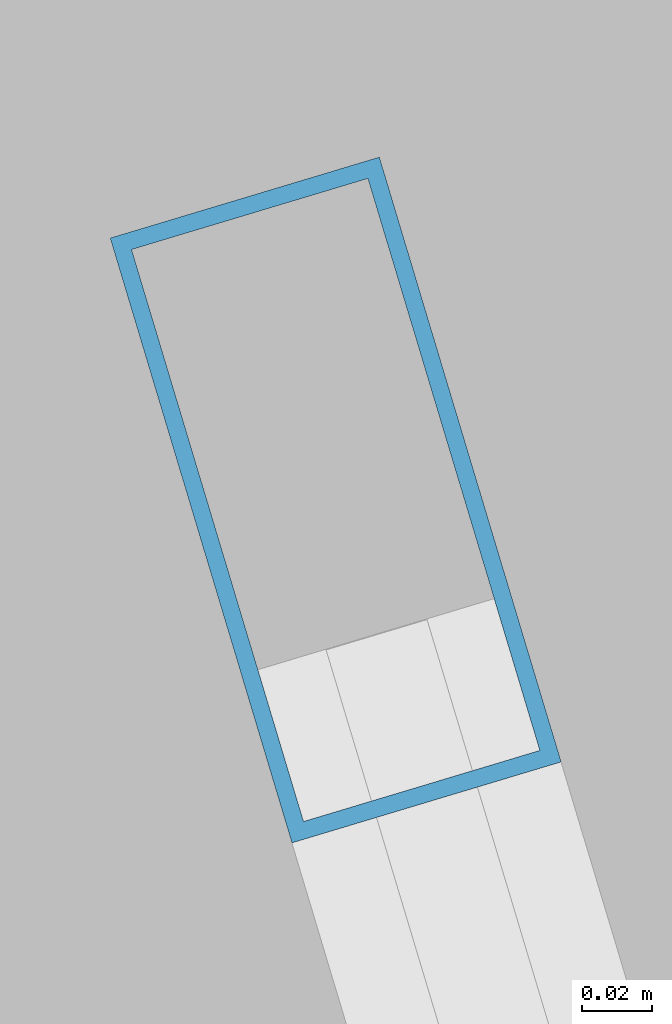
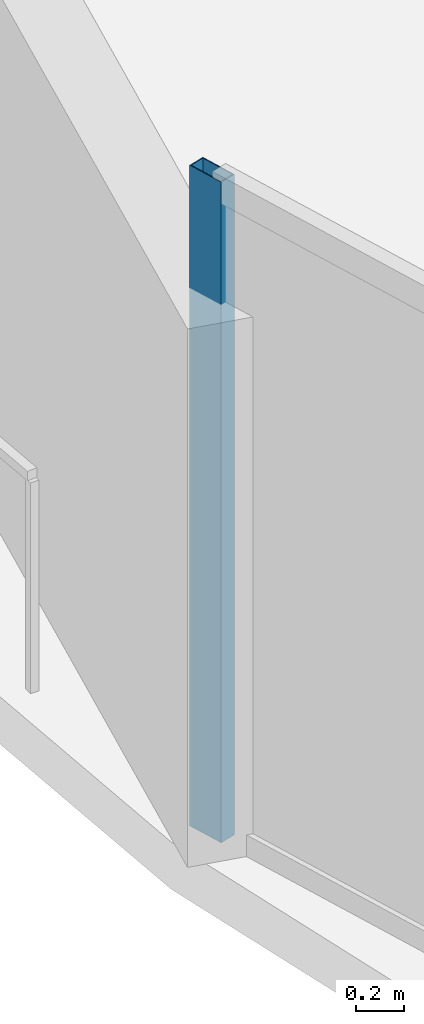
# One storey, part 8 of 31: 1 member, 1 element without a shape of its own.
"""IFC4 building model written with IfcOpenShell, lengths in metres."""

from ifc_helpers import new_model, si_unit, direction, frame, origin, origin_2d, place, context, subcontext, project, spatial, hollow_rectangle, extrude, material, layer, layer_set, material_profile, profile_set, type_object, element, aggregate, save


model = new_model("IFC4")

# Units and contexts
model_context = context("Model", 3, precision=1e-05, world=origin(), true_north=direction((0.0, 1.0)))
body_context = subcontext(model_context, "Body", "Model", "MODEL_VIEW")
ifc_project = project(units=[si_unit("LENGTHUNIT", "METRE"), si_unit("AREAUNIT", "SQUARE_METRE"), si_unit("VOLUMEUNIT", "CUBIC_METRE"), si_unit("PLANEANGLEUNIT", "RADIAN"), si_unit("MASSUNIT", "GRAM", prefix="KILO")], contexts=[model_context])

# Site, building, storey
site_placement = place(None, origin())
site = spatial("IfcSite", under=ifc_project, at=site_placement, CompositionType="ELEMENT")
building_placement = place(site_placement, origin())
building = spatial("IfcBuilding", under=site, at=building_placement, Name="Kazevale Care Tower and Concert Hall", CompositionType="ELEMENT")
storey_placement = place(building_placement, frame((0.0, 0.0, 81.60009765625)))
storey = spatial("IfcBuildingStorey", under=building, at=storey_placement, Name="L21", CompositionType="ELEMENT", Elevation=81.60009765625)

# Curtain wall, member
ifc_material_1 = material(Name="Aluminium 6063-T6 and Low-E Glass", Category="aluminium")
ifc_layer = layer(ifc_material_1, 0.179931640625)
ifc_layer_set = layer_set([ifc_layer], Name="Aluminium 6063-T6 and Low-E Glass")
curtain_wall_type = type_object("IfcCurtainWallType", Name="Waist & Upper Residential Curtain Wall CW-4", PredefinedType="NOTDEFINED", material=ifc_layer_set)
curtain_wall_placement = place(storey_placement, origin())
curtain_wall = element("IfcCurtainWall", 1, at=curtain_wall_placement, inside=storey, type_object=curtain_wall_type, Name="cw:L21:f12", PredefinedType="NOTDEFINED")
ifc_material_2 = material(Name="Aluminium 6063-T6", Category="aluminium")
ifc_material_profile = material_profile(ifc_material_2, hollow_rectangle(XDim=0.080078125, YDim=0.179931640625, WallThickness=0.0048828125, at=origin_2d()), Name="ALU80x180x5")
ifc_profile_set = profile_set([ifc_material_profile], Name="Aluminium 6063-T6")
member_type = type_object("IfcMemberType", Name="CW-4 Mullion ALU80x180x5", PredefinedType="MULLION", material=ifc_profile_set)
member_placement = place(storey_placement, frame((12.198486328125, 35.052734375, 0.0), z_axis=(0.0, 0.0, 1.0), x_axis=(-0.957661755703, -0.287895747909, 0.0)))
member = element("IfcMember", 2, at=member_placement, type_object=member_type, Name="CW-4 mullion 2", PredefinedType="MULLION", context=body_context, shape_type="SweptSolid", body=[
    extrude(hollow_rectangle(XDim=0.080078125, YDim=0.179931640625, WallThickness=0.0048828125, at=origin_2d()), origin(), (0.0, 0.0, 1.0), 3.35986328125),
])
aggregate(curtain_wall, [member])

save(model, "model.ifc")
